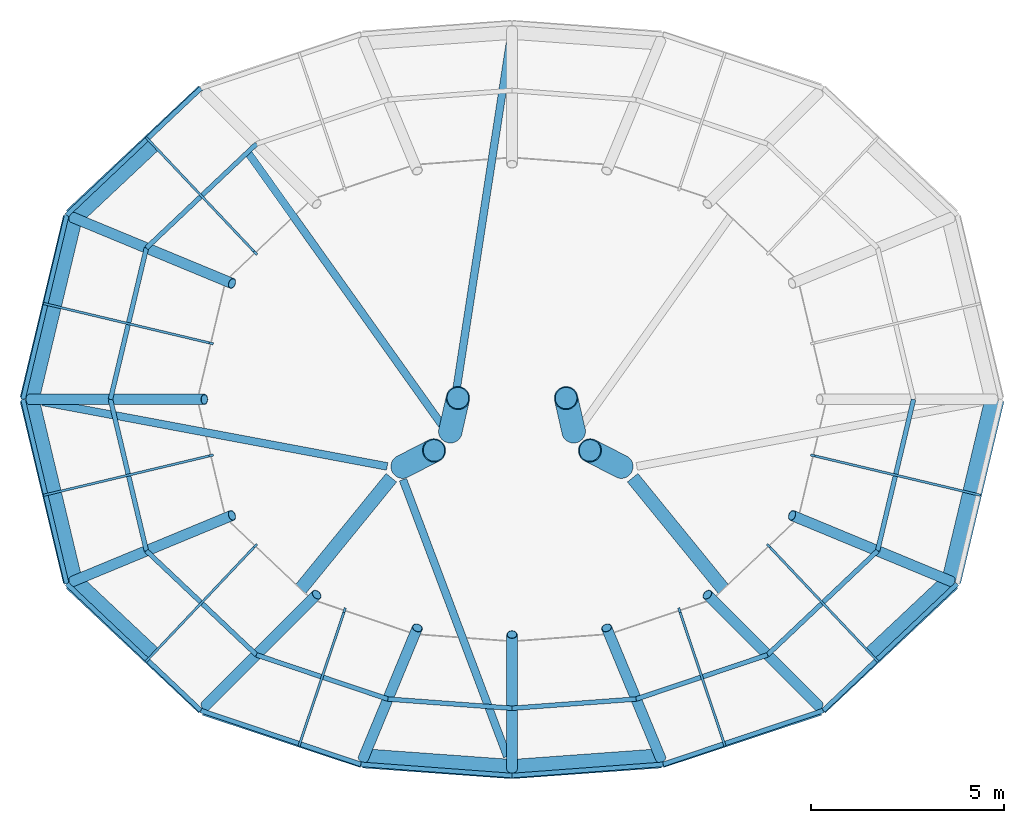
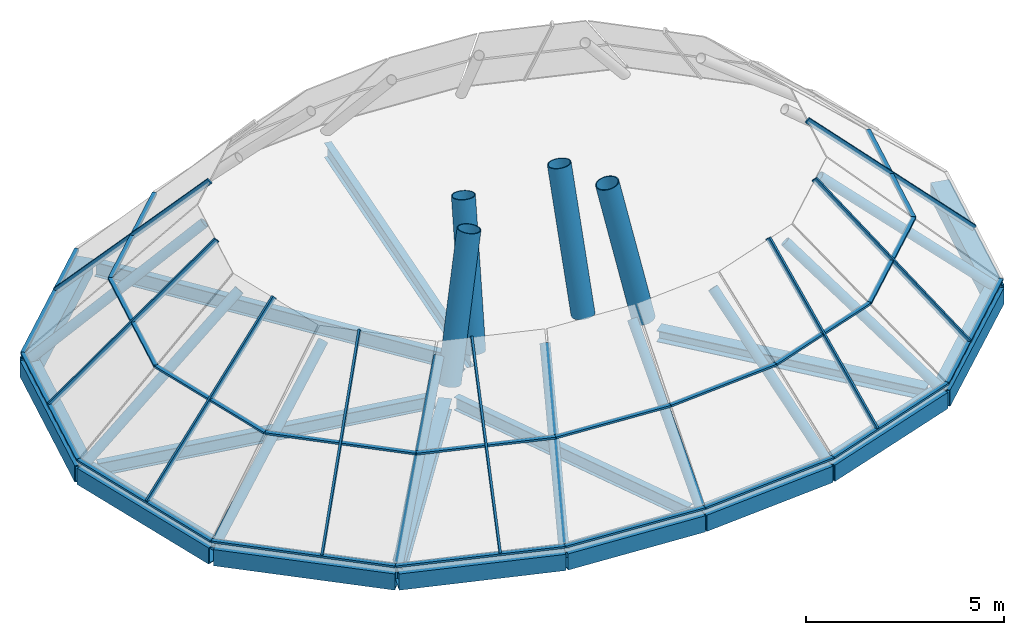
# One storey, part 1 of 3: 40 members, 16 beams, 10 elements without a shape of their own.
"""IFC4 building model written with IfcOpenShell, lengths in metres."""

from ifc_helpers import new_model, si_unit, direction, frame, origin, origin_2d, place, context, subcontext, project, spatial, rectangle, hollow_rectangle, hollow_circle, i_section, extrude, material, material_profile, profile_set, type_object, element, aggregate, save


model = new_model("IFC4")

# Units and contexts
model_context = context("Model", 3, precision=1e-05, world=origin(), true_north=direction((0.0, 1.0)))
body_context = subcontext(model_context, "Body", "Model", "MODEL_VIEW")
ifc_project = project(units=[si_unit("LENGTHUNIT", "METRE"), si_unit("AREAUNIT", "SQUARE_METRE"), si_unit("VOLUMEUNIT", "CUBIC_METRE"), si_unit("PLANEANGLEUNIT", "RADIAN"), si_unit("MASSUNIT", "GRAM", prefix="KILO")], contexts=[model_context])

# Site, building, storey
site_placement = place(None, origin())
site = spatial("IfcSite", under=ifc_project, at=site_placement, CompositionType="ELEMENT")
building_placement = place(site_placement, origin())
building = spatial("IfcBuilding", under=site, at=building_placement, Name="Rubra Terraces Tower", CompositionType="ELEMENT")
storey_placement = place(building_placement, frame((0.0, 0.0, 328.800048828125)))
storey = spatial("IfcBuildingStorey", under=building, at=storey_placement, Name="L81", CompositionType="ELEMENT", Elevation=328.800048828125)

# Members
ifc_material_1 = material(Name="Steel Q355B", Category="steel")
ifc_material_profile_1 = material_profile(ifc_material_1, hollow_circle(Radius=0.136474609375, WallThickness=0.011962890625, at=origin_2d()), Name="CHS 273x12")
ifc_profile_set_1 = profile_set([ifc_material_profile_1], Name="Steel Q355B")
member_type_1 = type_object("IfcMemberType", Name="CROWN POST CHS 273x12", PredefinedType="POST", material=ifc_profile_set_1)
member_1_placement = place(storey_placement, frame((-11.358154296875, 4.705322265625, -0.199951171875), z_axis=(0.703056626744, -0.291276439657, 0.648744491531), x_axis=(0.38275168109, 0.92385126001, 0.0)))
element("IfcMember", 1, at=member_1_placement, inside=storey, type_object=member_type_1, Name="CROWN POST", PredefinedType="POST", context=body_context, shape_type="SweptSolid", body=[
    extrude(hollow_circle(Radius=0.136474609375, WallThickness=0.011962890625, at=origin_2d()), origin(), (0.0, 0.0, 1.0), 5.857177734375),
])
member_2_placement = place(storey_placement, frame((-12.478515625, 0.0, -0.199951171875), z_axis=(0.765729286348, 0.0, 0.643163012019), x_axis=(0.0, 1.0, 0.0)))
element("IfcMember", 2, at=member_2_placement, inside=storey, type_object=member_type_1, Name="CROWN POST", PredefinedType="POST", context=body_context, shape_type="SweptSolid", body=[
    extrude(hollow_circle(Radius=0.136474609375, WallThickness=0.011962890625, at=origin_2d()), origin(), (0.0, 0.0, 1.0), 5.907958984375),
])
member_3_placement = place(storey_placement, frame((-11.358154296875, -4.705322265625, -0.199951171875), z_axis=(0.703056626744, 0.291276439657, 0.648744491531), x_axis=(-0.38275168109, 0.92385126001, 0.0)))
element("IfcMember", 3, at=member_3_placement, inside=storey, type_object=member_type_1, Name="CROWN POST", PredefinedType="POST", context=body_context, shape_type="SweptSolid", body=[
    extrude(hollow_circle(Radius=0.136474609375, WallThickness=0.011962890625, at=origin_2d()), origin(), (0.0, 0.0, 1.0), 5.857177734375),
])
member_4_placement = place(storey_placement, frame((-7.92822265625, -7.92822265625, -0.199951171875), z_axis=(0.516862468612, 0.516862468612, 0.682426829104), x_axis=(-0.707106781187, 0.707106781187, 0.0)))
element("IfcMember", 4, at=member_4_placement, inside=storey, type_object=member_type_1, Name="CROWN POST", PredefinedType="POST", context=body_context, shape_type="SweptSolid", body=[
    extrude(hollow_circle(Radius=0.136474609375, WallThickness=0.011962890625, at=origin_2d()), origin(), (0.0, 0.0, 1.0), 5.568115234375),
])
member_5_placement = place(storey_placement, frame((-3.84521484375, -9.283203125, -0.199951171875), z_axis=(0.265183902828, 0.640405694779, 0.720803748448), x_axis=(-0.923920752159, 0.38258390417, 0.0)))
element("IfcMember", 5, at=member_5_placement, inside=storey, type_object=member_type_1, Name="CROWN POST", PredefinedType="POST", context=body_context, shape_type="SweptSolid", body=[
    extrude(hollow_circle(Radius=0.136474609375, WallThickness=0.011962890625, at=origin_2d()), origin(), (0.0, 0.0, 1.0), 5.271728515625),
])
member_6_placement = place(storey_placement, frame((0.0, -9.560546875, -0.199951171875), z_axis=(0.0, 0.675389841881, 0.737460888104), x_axis=(-1.0, 0.0, 0.0)))
element("IfcMember", 6, at=member_6_placement, inside=storey, type_object=member_type_1, Name="CROWN POST", PredefinedType="POST", context=body_context, shape_type="SweptSolid", body=[
    extrude(hollow_circle(Radius=0.136474609375, WallThickness=0.011962890625, at=origin_2d()), origin(), (0.0, 0.0, 1.0), 5.152587890625),
])
member_7_placement = place(storey_placement, frame((3.84521484375, -9.283203125, -0.199951171875), z_axis=(-0.265183902828, 0.640405694779, 0.720803748448), x_axis=(-0.923920752159, -0.38258390417, 0.0)))
element("IfcMember", 7, at=member_7_placement, inside=storey, type_object=member_type_1, Name="CROWN POST", PredefinedType="POST", context=body_context, shape_type="SweptSolid", body=[
    extrude(hollow_circle(Radius=0.136474609375, WallThickness=0.011962890625, at=origin_2d()), origin(), (0.0, 0.0, 1.0), 5.271728515625),
])
member_8_placement = place(storey_placement, frame((7.92822265625, -7.92822265625, -0.199951171875), z_axis=(-0.516862468612, 0.516862468612, 0.682426829104), x_axis=(-0.707106781187, -0.707106781187, 0.0)))
element("IfcMember", 8, at=member_8_placement, inside=storey, type_object=member_type_1, Name="CROWN POST", PredefinedType="POST", context=body_context, shape_type="SweptSolid", body=[
    extrude(hollow_circle(Radius=0.136474609375, WallThickness=0.011962890625, at=origin_2d()), origin(), (0.0, 0.0, 1.0), 5.568115234375),
])
member_9_placement = place(storey_placement, frame((11.358154296875, -4.705322265625, -0.199951171875), z_axis=(-0.703056626744, 0.291276439657, 0.648744491531), x_axis=(-0.38275168109, -0.92385126001, 0.0)))
element("IfcMember", 9, at=member_9_placement, inside=storey, type_object=member_type_1, Name="CROWN POST", PredefinedType="POST", context=body_context, shape_type="SweptSolid", body=[
    extrude(hollow_circle(Radius=0.136474609375, WallThickness=0.011962890625, at=origin_2d()), origin(), (0.0, 0.0, 1.0), 5.857177734375),
])

# Beams
ifc_material_profile_2 = material_profile(ifc_material_1, hollow_rectangle(XDim=0.5, YDim=0.5, WallThickness=0.02490234375, at=origin_2d()), Name="BOX 500x500x25")
ifc_profile_set_2 = profile_set([ifc_material_profile_2], Name="Steel Q355B")
beam_type_1 = type_object("IfcBeamType", Name="CROWN RING GIRDER BOX 500x500x25", PredefinedType="BEAM", material=ifc_profile_set_2)
beam_1_placement = place(storey_placement, frame((-7.927978515625, 7.927978515625, -0.449951171875), z_axis=(-0.728758642516, -0.684770648435, 0.0), x_axis=(0.684770648435, -0.728758642516, 0.0)))
element("IfcBeam", 10, at=beam_1_placement, inside=storey, type_object=beam_type_1, Name="CROWN RING GIRDER", PredefinedType="BEAM", context=body_context, shape_type="SweptSolid", body=[
    extrude(hollow_rectangle(XDim=0.5, YDim=0.5, WallThickness=0.02490234375, at=origin_2d()), origin(), (0.0, 0.0, 1.0), 4.70654296875),
])
for number, where, z_axis, x_axis, name in (
    (11, (-11.35791015625, 4.705078125, -0.449951171875), (-0.231784299175, -0.972767206816, 0.0), (0.972767206816, -0.231784299175, 0.0), "CROWN RING GIRDER"),
    (12, (-12.47900390625, 0.0, -0.449951171875), (0.231784299175, -0.972767206816, 0.0), (0.972767206816, 0.231784299175, 0.0), "CROWN RING GIRDER"),
):
    element("IfcBeam", number, at=place(storey_placement, frame(where, z_axis=z_axis, x_axis=x_axis)), inside=storey, type_object=beam_type_1, Name=name, PredefinedType="BEAM", context=body_context, shape_type="SweptSolid", body=[
        extrude(hollow_rectangle(XDim=0.5, YDim=0.5, WallThickness=0.02490234375, at=origin_2d()), origin(), (0.0, 0.0, 1.0), 4.8369140625),
    ])
beam_2_placement = place(storey_placement, frame((-11.35791015625, -4.705078125, -0.449951171875), z_axis=(0.728758642516, -0.684770648435, 0.0), x_axis=(0.684770648435, 0.728758642516, 0.0)))
element("IfcBeam", 13, at=beam_2_placement, inside=storey, type_object=beam_type_1, Name="CROWN RING GIRDER", PredefinedType="BEAM", context=body_context, shape_type="SweptSolid", body=[
    extrude(hollow_rectangle(XDim=0.5, YDim=0.5, WallThickness=0.02490234375, at=origin_2d()), origin(), (0.0, 0.0, 1.0), 4.70654296875),
])
beam_3_placement = place(storey_placement, frame((-7.927978515625, -7.927978515625, -0.449951171875), z_axis=(0.949102418306, -0.314967616694, 0.0), x_axis=(0.314967616694, 0.949102418306, 0.0)))
element("IfcBeam", 14, at=beam_3_placement, inside=storey, type_object=beam_type_1, Name="CROWN RING GIRDER", PredefinedType="BEAM", context=body_context, shape_type="SweptSolid", body=[
    extrude(hollow_rectangle(XDim=0.5, YDim=0.5, WallThickness=0.02490234375, at=origin_2d()), origin(), (0.0, 0.0, 1.0), 4.302001953125),
])
for number, where, z_axis, x_axis, name in (
    (15, (-3.844970703125, -9.282958984375, -0.449951171875), (0.997394975087, -0.072133651446, 0.0), (0.072133651446, 0.997394975087, 0.0), "CROWN RING GIRDER"),
    (16, (0.0, -9.56103515625, -0.449951171875), (0.997394975087, 0.072133651446, 0.0), (-0.072133651446, 0.997394975087, 0.0), "CROWN RING GIRDER"),
):
    element("IfcBeam", number, at=place(storey_placement, frame(where, z_axis=z_axis, x_axis=x_axis)), inside=storey, type_object=beam_type_1, Name=name, PredefinedType="BEAM", context=body_context, shape_type="SweptSolid", body=[
        extrude(hollow_rectangle(XDim=0.5, YDim=0.5, WallThickness=0.02490234375, at=origin_2d()), origin(), (0.0, 0.0, 1.0), 3.85498046875),
    ])
beam_4_placement = place(storey_placement, frame((3.844970703125, -9.282958984375, -0.449951171875), z_axis=(0.949102418306, 0.314967616694, 0.0), x_axis=(-0.314967616694, 0.949102418306, 0.0)))
element("IfcBeam", 17, at=beam_4_placement, inside=storey, type_object=beam_type_1, Name="CROWN RING GIRDER", PredefinedType="BEAM", context=body_context, shape_type="SweptSolid", body=[
    extrude(hollow_rectangle(XDim=0.5, YDim=0.5, WallThickness=0.02490234375, at=origin_2d()), origin(), (0.0, 0.0, 1.0), 4.302001953125),
])
beam_5_placement = place(storey_placement, frame((7.927978515625, -7.927978515625, -0.449951171875), z_axis=(0.728758642516, 0.684770648435, 0.0), x_axis=(-0.684770648435, 0.728758642516, 0.0)))
element("IfcBeam", 18, at=beam_5_placement, inside=storey, type_object=beam_type_1, Name="CROWN RING GIRDER", PredefinedType="BEAM", context=body_context, shape_type="SweptSolid", body=[
    extrude(hollow_rectangle(XDim=0.5, YDim=0.5, WallThickness=0.02490234375, at=origin_2d()), origin(), (0.0, 0.0, 1.0), 4.70654296875),
])
beam_6_placement = place(storey_placement, frame((11.35791015625, -4.705078125, -0.449951171875), z_axis=(0.231784299175, 0.972767206816, 0.0), x_axis=(-0.972767206816, 0.231784299175, 0.0)))
element("IfcBeam", 19, at=beam_6_placement, inside=storey, type_object=beam_type_1, Name="CROWN RING GIRDER", PredefinedType="BEAM", context=body_context, shape_type="SweptSolid", body=[
    extrude(hollow_rectangle(XDim=0.5, YDim=0.5, WallThickness=0.02490234375, at=origin_2d()), origin(), (0.0, 0.0, 1.0), 4.8369140625),
])

# Curtain wall, member
ifc_material_2 = material(Name="Aluminium and glass", Category="aluminium")
curtain_wall_type = type_object("IfcCurtainWallType", Name="Curtain wall Crown glazing", PredefinedType="NOTDEFINED", material=ifc_material_2)
curtain_wall_1_placement = place(storey_placement, origin())
curtain_wall_1 = element("IfcCurtainWall", 20, at=curtain_wall_1_placement, inside=storey, type_object=curtain_wall_type, Name="Crown glazing L81 facet 7", PredefinedType="NOTDEFINED")
ifc_material_3 = material(Name="Aluminium, anodised dark grey", Category="aluminium")
ifc_material_profile_3 = material_profile(ifc_material_3, rectangle(XDim=0.06005859375, YDim=0.159912109375, at=origin_2d()), Name="AL 60x160")
ifc_profile_set_3 = profile_set([ifc_material_profile_3], Name="Aluminium, anodised dark grey")
member_type_2 = type_object("IfcMemberType", Name="Crown glazing mullion 60 x 160", PredefinedType="MULLION", material=ifc_profile_set_3)
member_10_placement = place(storey_placement, frame((-9.427490234375, 6.73974609375, 0.0), z_axis=(0.478007408071, -0.505604831141, 0.718242767145), x_axis=(0.726660270394, 0.686996980656, 0.0)))
member_10 = element("IfcMember", 21, at=member_10_placement, type_object=member_type_2, Name="Crown glazing L81 facet 7 mullion 1", PredefinedType="MULLION", context=body_context, shape_type="SweptSolid", body=[
    extrude(rectangle(XDim=0.06005859375, YDim=0.159912109375, at=origin_2d()), origin(), (0.0, 0.0, 1.0), 5.84765625),
])

curtain_wall_2_placement = place(storey_placement, origin())
curtain_wall_2 = element("IfcCurtainWall", 22, at=curtain_wall_2_placement, inside=storey, type_object=curtain_wall_type, Name="Crown glazing L81 facet 8", PredefinedType="NOTDEFINED")
member_11_placement = place(storey_placement, frame((-12.05908203125, 2.466552734375, 0.0), z_axis=(0.703863836349, -0.167187225168, 0.690379701049), x_axis=(0.231098029576, 0.972930470653, 0.0)))
member_11 = element("IfcMember", 23, at=member_11_placement, type_object=member_type_2, Name="Crown glazing L81 facet 8 mullion 1", PredefinedType="MULLION", context=body_context, shape_type="SweptSolid", body=[
    extrude(rectangle(XDim=0.06005859375, YDim=0.159912109375, at=origin_2d()), origin(), (0.0, 0.0, 1.0), 6.08349609375),
])

curtain_wall_3_placement = place(storey_placement, origin())
curtain_wall_3 = element("IfcCurtainWall", 24, at=curtain_wall_3_placement, inside=storey, type_object=curtain_wall_type, Name="Crown glazing L81 facet 9", PredefinedType="NOTDEFINED")
member_12_placement = place(storey_placement, frame((-12.05908203125, -2.466552734375, 0.0), z_axis=(0.703863836349, 0.167187225168, 0.690379701049), x_axis=(-0.231098029576, 0.972930470653, 0.0)))
member_12 = element("IfcMember", 25, at=member_12_placement, type_object=member_type_2, Name="Crown glazing L81 facet 9 mullion 1", PredefinedType="MULLION", context=body_context, shape_type="SweptSolid", body=[
    extrude(rectangle(XDim=0.06005859375, YDim=0.159912109375, at=origin_2d()), origin(), (0.0, 0.0, 1.0), 6.08349609375),
])

curtain_wall_4_placement = place(storey_placement, origin())
curtain_wall_4 = element("IfcCurtainWall", 26, at=curtain_wall_4_placement, inside=storey, type_object=curtain_wall_type, Name="Crown glazing L81 facet 10", PredefinedType="NOTDEFINED")
member_13_placement = place(storey_placement, frame((-9.427490234375, -6.73974609375, 0.0), z_axis=(0.478007408071, 0.505604831141, 0.718242767145), x_axis=(-0.726660270394, 0.686996980656, 0.0)))
member_13 = element("IfcMember", 27, at=member_13_placement, type_object=member_type_2, Name="Crown glazing L81 facet 10 mullion 1", PredefinedType="MULLION", context=body_context, shape_type="SweptSolid", body=[
    extrude(rectangle(XDim=0.06005859375, YDim=0.159912109375, at=origin_2d()), origin(), (0.0, 0.0, 1.0), 5.84765625),
])

curtain_wall_5_placement = place(storey_placement, origin())
curtain_wall_5 = element("IfcCurtainWall", 28, at=curtain_wall_5_placement, inside=storey, type_object=curtain_wall_type, Name="Crown glazing L81 facet 11", PredefinedType="NOTDEFINED")
member_14_placement = place(storey_placement, frame((-5.489501953125, -8.905517578125, 0.0), z_axis=(0.208923002794, 0.621281432138, 0.755222193122), x_axis=(-0.94784277477, 0.318738253613, 0.0)))
member_14 = element("IfcMember", 29, at=member_14_placement, type_object=member_type_2, Name="Crown glazing L81 facet 11 mullion 1", PredefinedType="MULLION", context=body_context, shape_type="SweptSolid", body=[
    extrude(rectangle(XDim=0.06005859375, YDim=0.159912109375, at=origin_2d()), origin(), (0.0, 0.0, 1.0), 5.561279296875),
])

curtain_wall_6_placement = place(storey_placement, origin())
curtain_wall_6 = element("IfcCurtainWall", 30, at=curtain_wall_6_placement, inside=storey, type_object=curtain_wall_type, Name="Crown glazing L81 facet 14", PredefinedType="NOTDEFINED")
member_15_placement = place(storey_placement, frame((5.489501953125, -8.905517578125, 0.0), z_axis=(-0.208923002794, 0.621281432138, 0.755222193122), x_axis=(-0.94784277477, -0.318738253613, 0.0)))
member_15 = element("IfcMember", 31, at=member_15_placement, type_object=member_type_2, Name="Crown glazing L81 facet 14 mullion 1", PredefinedType="MULLION", context=body_context, shape_type="SweptSolid", body=[
    extrude(rectangle(XDim=0.06005859375, YDim=0.159912109375, at=origin_2d()), origin(), (0.0, 0.0, 1.0), 5.561279296875),
])

curtain_wall_7_placement = place(storey_placement, origin())
curtain_wall_7 = element("IfcCurtainWall", 32, at=curtain_wall_7_placement, inside=storey, type_object=curtain_wall_type, Name="Crown glazing L81 facet 15", PredefinedType="NOTDEFINED")
member_16_placement = place(storey_placement, frame((9.427490234375, -6.73974609375, 0.0), z_axis=(-0.478007408071, 0.505604831141, 0.718242767145), x_axis=(-0.726660270394, -0.686996980656, 0.0)))
member_16 = element("IfcMember", 33, at=member_16_placement, type_object=member_type_2, Name="Crown glazing L81 facet 15 mullion 1", PredefinedType="MULLION", context=body_context, shape_type="SweptSolid", body=[
    extrude(rectangle(XDim=0.06005859375, YDim=0.159912109375, at=origin_2d()), origin(), (0.0, 0.0, 1.0), 5.84765625),
])

curtain_wall_8_placement = place(storey_placement, origin())
curtain_wall_8 = element("IfcCurtainWall", 34, at=curtain_wall_8_placement, inside=storey, type_object=curtain_wall_type, Name="Crown glazing L81 facet 16", PredefinedType="NOTDEFINED")
member_17_placement = place(storey_placement, frame((12.05908203125, -2.466552734375, 0.0), z_axis=(-0.703863836349, 0.167187225168, 0.690379701049), x_axis=(-0.231098029576, -0.972930470653, 0.0)))
member_17 = element("IfcMember", 35, at=member_17_placement, type_object=member_type_2, Name="Crown glazing L81 facet 16 mullion 1", PredefinedType="MULLION", context=body_context, shape_type="SweptSolid", body=[
    extrude(rectangle(XDim=0.06005859375, YDim=0.159912109375, at=origin_2d()), origin(), (0.0, 0.0, 1.0), 6.08349609375),
])

# Member
ifc_material_profile_4 = material_profile(ifc_material_3, rectangle(XDim=0.1201171875, YDim=0.06005859375, at=origin_2d()), Name="AL 120x60")
ifc_profile_set_4 = profile_set([ifc_material_profile_4], Name="Aluminium, anodised dark grey")
member_type_3 = type_object("IfcMemberType", Name="Crown glazing transom 120 x 60", PredefinedType="USERDEFINED", material=ifc_profile_set_4)
member_18_placement = place(storey_placement, frame((-8.0458984375, 8.0458984375, 0.0), z_axis=(-0.726662449999, -0.686994675206, 0.0), x_axis=(0.686994675206, -0.726662449999, 0.0)))
member_18 = element("IfcMember", 36, at=member_18_placement, type_object=member_type_3, Name="Crown glazing L81 facet 7 transom 1", ObjectType="TRANSOM", PredefinedType="USERDEFINED", context=body_context, shape_type="SweptSolid", body=[
    extrude(rectangle(XDim=0.1201171875, YDim=0.06005859375, at=origin_2d()), origin(), (0.0, 0.0, 1.0), 4.769775390625),
])

member_19_placement = place(storey_placement, frame((-6.60693359375, 6.60693359375, 2.099853515625), z_axis=(-0.726620628193, -0.687038909149, 0.0), x_axis=(0.687038909149, -0.726620628193, 0.0)))
member_19 = element("IfcMember", 37, at=member_19_placement, type_object=member_type_3, Name="Crown glazing L81 facet 7 transom 2", ObjectType="TRANSOM", PredefinedType="USERDEFINED", context=body_context, shape_type="SweptSolid", body=[
    extrude(rectangle(XDim=0.1201171875, YDim=0.06005859375, at=origin_2d()), origin(), (0.0, 0.0, 1.0), 3.916748046875),
])

aggregate(curtain_wall_1, [member_10, member_18, member_19])

member_20_placement = place(storey_placement, frame((-11.511962890625, 4.76904296875, 0.0), z_axis=(-0.231151401248, -0.972917791851, 0.0), x_axis=(0.972917791851, -0.231151401248, 0.0)))
member_20 = element("IfcMember", 38, at=member_20_placement, type_object=member_type_3, Name="Crown glazing L81 facet 8 transom 1", ObjectType="TRANSOM", PredefinedType="USERDEFINED", context=body_context, shape_type="SweptSolid", body=[
    extrude(rectangle(XDim=0.1201171875, YDim=0.06005859375, at=origin_2d()), origin(), (0.0, 0.0, 1.0), 4.90185546875),
])

member_21_placement = place(storey_placement, frame((-9.452880859375, 3.916015625, 2.099853515625), z_axis=(-0.231158555304, -0.972916092122, 0.0), x_axis=(0.972916092122, -0.231158555304, 0.0)))
member_21 = element("IfcMember", 39, at=member_21_placement, type_object=member_type_3, Name="Crown glazing L81 facet 8 transom 2", ObjectType="TRANSOM", PredefinedType="USERDEFINED", context=body_context, shape_type="SweptSolid", body=[
    extrude(rectangle(XDim=0.1201171875, YDim=0.06005859375, at=origin_2d()), origin(), (0.0, 0.0, 1.0), 4.025146484375),
])

aggregate(curtain_wall_2, [member_11, member_20, member_21])

member_22_placement = place(storey_placement, frame((-12.64501953125, 0.0, 0.0), z_axis=(0.231151401248, -0.972917791851, 0.0), x_axis=(0.972917791851, 0.231151401248, 0.0)))
member_22 = element("IfcMember", 40, at=member_22_placement, type_object=member_type_3, Name="Crown glazing L81 facet 9 transom 1", ObjectType="TRANSOM", PredefinedType="USERDEFINED", context=body_context, shape_type="SweptSolid", body=[
    extrude(rectangle(XDim=0.1201171875, YDim=0.06005859375, at=origin_2d()), origin(), (0.0, 0.0, 1.0), 4.90185546875),
])

member_23_placement = place(storey_placement, frame((-10.38330078125, 0.0, 2.099853515625), z_axis=(0.231158555304, -0.972916092122, 0.0), x_axis=(0.972916092122, 0.231158555304, 0.0)))
member_23 = element("IfcMember", 41, at=member_23_placement, type_object=member_type_3, Name="Crown glazing L81 facet 9 transom 2", ObjectType="TRANSOM", PredefinedType="USERDEFINED", context=body_context, shape_type="SweptSolid", body=[
    extrude(rectangle(XDim=0.1201171875, YDim=0.06005859375, at=origin_2d()), origin(), (0.0, 0.0, 1.0), 4.025146484375),
])

aggregate(curtain_wall_3, [member_12, member_22, member_23])

member_24_placement = place(storey_placement, frame((-11.511962890625, -4.76904296875, 0.0), z_axis=(0.726662449999, -0.686994675206, 0.0), x_axis=(0.686994675206, 0.726662449999, 0.0)))
member_24 = element("IfcMember", 42, at=member_24_placement, type_object=member_type_3, Name="Crown glazing L81 facet 10 transom 1", ObjectType="TRANSOM", PredefinedType="USERDEFINED", context=body_context, shape_type="SweptSolid", body=[
    extrude(rectangle(XDim=0.1201171875, YDim=0.06005859375, at=origin_2d()), origin(), (0.0, 0.0, 1.0), 4.769775390625),
])

member_25_placement = place(storey_placement, frame((-9.452880859375, -3.916015625, 2.099853515625), z_axis=(0.726620628193, -0.687038909149, 0.0), x_axis=(0.687038909149, 0.726620628193, 0.0)))
member_25 = element("IfcMember", 43, at=member_25_placement, type_object=member_type_3, Name="Crown glazing L81 facet 10 transom 2", ObjectType="TRANSOM", PredefinedType="USERDEFINED", context=body_context, shape_type="SweptSolid", body=[
    extrude(rectangle(XDim=0.1201171875, YDim=0.06005859375, at=origin_2d()), origin(), (0.0, 0.0, 1.0), 3.916748046875),
])

aggregate(curtain_wall_4, [member_13, member_24, member_25])

member_26_placement = place(storey_placement, frame((-8.0458984375, -8.0458984375, 0.0), z_axis=(0.947846546939, -0.318727035967, 0.0), x_axis=(0.318727035967, 0.947846546939, 0.0)))
member_26 = element("IfcMember", 44, at=member_26_placement, type_object=member_type_3, Name="Crown glazing L81 facet 11 transom 1", ObjectType="TRANSOM", PredefinedType="USERDEFINED", context=body_context, shape_type="SweptSolid", body=[
    extrude(rectangle(XDim=0.1201171875, YDim=0.06005859375, at=origin_2d()), origin(), (0.0, 0.0, 1.0), 4.364501953125),
])

member_27_placement = place(storey_placement, frame((-6.60693359375, -6.60693359375, 2.099853515625), z_axis=(0.947862652845, -0.318679135404, 0.0), x_axis=(0.318679135404, 0.947862652845, 0.0)))
member_27 = element("IfcMember", 45, at=member_27_placement, type_object=member_type_3, Name="Crown glazing L81 facet 11 transom 2", ObjectType="TRANSOM", PredefinedType="USERDEFINED", context=body_context, shape_type="SweptSolid", body=[
    extrude(rectangle(XDim=0.1201171875, YDim=0.06005859375, at=origin_2d()), origin(), (0.0, 0.0, 1.0), 3.583740234375),
])

aggregate(curtain_wall_5, [member_14, member_26, member_27])

# Curtain wall, members
curtain_wall_9_placement = place(storey_placement, origin())
curtain_wall_9 = element("IfcCurtainWall", 46, at=curtain_wall_9_placement, inside=storey, type_object=curtain_wall_type, Name="Crown glazing L81 facet 12", PredefinedType="NOTDEFINED")
member_28_placement = place(storey_placement, frame((-3.908935546875, -9.43701171875, 0.0), z_axis=(0.997258569584, -0.073995576833, 0.0), x_axis=(0.073995576833, 0.997258569584, 0.0)))
member_28 = element("IfcMember", 47, at=member_28_placement, type_object=member_type_3, Name="Crown glazing L81 facet 12 transom 1", ObjectType="TRANSOM", PredefinedType="USERDEFINED", context=body_context, shape_type="SweptSolid", body=[
    extrude(rectangle(XDim=0.1201171875, YDim=0.06005859375, at=origin_2d()), origin(), (0.0, 0.0, 1.0), 3.919677734375),
])
member_29_placement = place(storey_placement, frame((-3.2099609375, -7.748779296875, 2.099853515625), z_axis=(0.99725615278, -0.074028141551, 0.0), x_axis=(0.074028141551, 0.99725615278, 0.0)))
member_29 = element("IfcMember", 48, at=member_29_placement, type_object=member_type_3, Name="Crown glazing L81 facet 12 transom 2", ObjectType="TRANSOM", PredefinedType="USERDEFINED", context=body_context, shape_type="SweptSolid", body=[
    extrude(rectangle(XDim=0.1201171875, YDim=0.06005859375, at=origin_2d()), origin(), (0.0, 0.0, 1.0), 3.21875),
])
aggregate(curtain_wall_9, [member_28, member_29])

curtain_wall_10_placement = place(storey_placement, origin())
curtain_wall_10 = element("IfcCurtainWall", 49, at=curtain_wall_10_placement, inside=storey, type_object=curtain_wall_type, Name="Crown glazing L81 facet 13", PredefinedType="NOTDEFINED")
member_30_placement = place(storey_placement, frame((0.0, -9.72705078125, 0.0), z_axis=(0.997258569584, 0.073995576833, 0.0), x_axis=(-0.073995576833, 0.997258569584, 0.0)))
member_30 = element("IfcMember", 50, at=member_30_placement, type_object=member_type_3, Name="Crown glazing L81 facet 13 transom 1", ObjectType="TRANSOM", PredefinedType="USERDEFINED", context=body_context, shape_type="SweptSolid", body=[
    extrude(rectangle(XDim=0.1201171875, YDim=0.06005859375, at=origin_2d()), origin(), (0.0, 0.0, 1.0), 3.919677734375),
])
member_31_placement = place(storey_placement, frame((0.0, -7.987060546875, 2.099853515625), z_axis=(0.99725615278, 0.074028141551, 0.0), x_axis=(-0.074028141551, 0.99725615278, 0.0)))
member_31 = element("IfcMember", 51, at=member_31_placement, type_object=member_type_3, Name="Crown glazing L81 facet 13 transom 2", ObjectType="TRANSOM", PredefinedType="USERDEFINED", context=body_context, shape_type="SweptSolid", body=[
    extrude(rectangle(XDim=0.1201171875, YDim=0.06005859375, at=origin_2d()), origin(), (0.0, 0.0, 1.0), 3.21875),
])
aggregate(curtain_wall_10, [member_30, member_31])

# Member
member_32_placement = place(storey_placement, frame((3.908935546875, -9.43701171875, 0.0), z_axis=(0.947846546939, 0.318727035967, 0.0), x_axis=(-0.318727035967, 0.947846546939, 0.0)))
member_32 = element("IfcMember", 52, at=member_32_placement, type_object=member_type_3, Name="Crown glazing L81 facet 14 transom 1", ObjectType="TRANSOM", PredefinedType="USERDEFINED", context=body_context, shape_type="SweptSolid", body=[
    extrude(rectangle(XDim=0.1201171875, YDim=0.06005859375, at=origin_2d()), origin(), (0.0, 0.0, 1.0), 4.364501953125),
])

member_33_placement = place(storey_placement, frame((3.2099609375, -7.7490234375, 2.099853515625), z_axis=(0.947862652845, 0.318679135404, 0.0), x_axis=(-0.318679135404, 0.947862652845, 0.0)))
member_33 = element("IfcMember", 53, at=member_33_placement, type_object=member_type_3, Name="Crown glazing L81 facet 14 transom 2", ObjectType="TRANSOM", PredefinedType="USERDEFINED", context=body_context, shape_type="SweptSolid", body=[
    extrude(rectangle(XDim=0.1201171875, YDim=0.06005859375, at=origin_2d()), origin(), (0.0, 0.0, 1.0), 3.583740234375),
])

aggregate(curtain_wall_6, [member_15, member_32, member_33])

member_34_placement = place(storey_placement, frame((8.0458984375, -8.0458984375, 0.0), z_axis=(0.726662449999, 0.686994675206, 0.0), x_axis=(-0.686994675206, 0.726662449999, 0.0)))
member_34 = element("IfcMember", 54, at=member_34_placement, type_object=member_type_3, Name="Crown glazing L81 facet 15 transom 1", ObjectType="TRANSOM", PredefinedType="USERDEFINED", context=body_context, shape_type="SweptSolid", body=[
    extrude(rectangle(XDim=0.1201171875, YDim=0.06005859375, at=origin_2d()), origin(), (0.0, 0.0, 1.0), 4.769775390625),
])

member_35_placement = place(storey_placement, frame((6.60693359375, -6.60693359375, 2.099853515625), z_axis=(0.726620628193, 0.687038909149, 0.0), x_axis=(-0.687038909149, 0.726620628193, 0.0)))
member_35 = element("IfcMember", 55, at=member_35_placement, type_object=member_type_3, Name="Crown glazing L81 facet 15 transom 2", ObjectType="TRANSOM", PredefinedType="USERDEFINED", context=body_context, shape_type="SweptSolid", body=[
    extrude(rectangle(XDim=0.1201171875, YDim=0.06005859375, at=origin_2d()), origin(), (0.0, 0.0, 1.0), 3.916748046875),
])

aggregate(curtain_wall_7, [member_16, member_34, member_35])

member_36_placement = place(storey_placement, frame((9.452880859375, -3.916015625, 2.099853515625), z_axis=(0.231158555304, 0.972916092122, 0.0), x_axis=(-0.972916092122, 0.231158555304, 0.0)))
member_36 = element("IfcMember", 56, at=member_36_placement, type_object=member_type_3, Name="Crown glazing L81 facet 16 transom 2", ObjectType="TRANSOM", PredefinedType="USERDEFINED", context=body_context, shape_type="SweptSolid", body=[
    extrude(rectangle(XDim=0.1201171875, YDim=0.06005859375, at=origin_2d()), origin(), (0.0, 0.0, 1.0), 4.025146484375),
])

aggregate(curtain_wall_8, [member_17, member_36])

# Beams
ifc_material_profile_5 = material_profile(ifc_material_1, i_section(OverallWidth=0.199951171875, OverallDepth=0.39990234375, WebThickness=0.008056640625, FlangeThickness=0.012939453125, at=origin_2d()), Name="HN 400x200x8x13")
ifc_profile_set_5 = profile_set([ifc_material_profile_5], Name="Steel Q355B")
beam_type_2 = type_object("IfcBeamType", Name="FLOOR BEAM HN 400x200x8x13", PredefinedType="BEAM", material=ifc_profile_set_5)
beam_7_placement = place(storey_placement, frame((-12.134033203125, -0.06396484375, -0.400146484375), z_axis=(0.982874931719, -0.184273895594, 0.0), x_axis=(0.184273895594, 0.982874931719, 0.0)))
element("IfcBeam", 57, at=beam_7_placement, inside=storey, type_object=beam_type_2, Name="beam-L81-crown-floor-09", PredefinedType="BEAM", context=body_context, shape_type="SweptSolid", body=[
    extrude(i_section(OverallWidth=0.199951171875, OverallDepth=0.39990234375, WebThickness=0.008056640625, FlangeThickness=0.012939453125, at=origin_2d()), origin(), (0.0, 0.0, 1.0), 9.062255859375),
])
beam_8_placement = place(storey_placement, frame((-0.123046875, -9.23291015625, -0.400146484375), z_axis=(-0.3525885763, 0.93577844379, 0.0), x_axis=(-0.93577844379, -0.3525885763, 0.0)))
element("IfcBeam", 58, at=beam_8_placement, inside=storey, type_object=beam_type_2, Name="beam-L81-crown-floor-13", PredefinedType="BEAM", context=body_context, shape_type="SweptSolid", body=[
    extrude(i_section(OverallWidth=0.199951171875, OverallDepth=0.39990234375, WebThickness=0.008056640625, FlangeThickness=0.012939453125, at=origin_2d()), origin(), (0.0, 0.0, 1.0), 7.649169921875),
])
ifc_material_profile_6 = material_profile(ifc_material_1, i_section(OverallWidth=0.198974609375, OverallDepth=0.446044921875, WebThickness=0.008056640625, FlangeThickness=0.011962890625, at=origin_2d()), Name="HN 446x199x8x12")
ifc_profile_set_6 = profile_set([ifc_material_profile_6], Name="Steel Q355B")
beam_type_3 = type_object("IfcBeamType", Name="FLOOR BEAM HN 446x199x8x12", PredefinedType="BEAM", material=ifc_profile_set_6)
beam_9_placement = place(storey_placement, frame((-0.052978515625, 9.215087890625, -0.423095703125), z_axis=(-0.152473339647, -0.988307584053, 0.0), x_axis=(0.988307584053, -0.152473339647, 0.0)))
element("IfcBeam", 59, at=beam_9_placement, inside=storey, type_object=beam_type_3, Name="beam-L81-crown-floor-05", PredefinedType="BEAM", context=body_context, shape_type="SweptSolid", body=[
    extrude(i_section(OverallWidth=0.198974609375, OverallDepth=0.446044921875, WebThickness=0.008056640625, FlangeThickness=0.011962890625, at=origin_2d()), origin(), (0.0, 0.0, 1.0), 9.962646484375),
])
beam_10_placement = place(storey_placement, frame((-7.72509765625, 7.64306640625, -0.423095703125), z_axis=(0.580022095206, -0.814600742126, 0.0), x_axis=(0.814600742126, 0.580022095206, 0.0)))
element("IfcBeam", 60, at=beam_10_placement, inside=storey, type_object=beam_type_3, Name="beam-L81-crown-floor-07", PredefinedType="BEAM", context=body_context, shape_type="SweptSolid", body=[
    extrude(i_section(OverallWidth=0.198974609375, OverallDepth=0.446044921875, WebThickness=0.008056640625, FlangeThickness=0.011962890625, at=origin_2d()), origin(), (0.0, 0.0, 1.0), 10.222412109375),
])
ifc_material_profile_7 = material_profile(ifc_material_1, i_section(OverallWidth=0.35009765625, OverallDepth=0.35009765625, WebThickness=0.011962890625, FlangeThickness=0.01904296875, at=origin_2d()), Name="HW 350x350x12x19")
ifc_profile_set_7 = profile_set([ifc_material_profile_7], Name="Steel Q355B")
beam_type_4 = type_object("IfcBeamType", Name="FLOOR BEAM HW 350x350x12x19", PredefinedType="BEAM", material=ifc_profile_set_7)
for number, where, z_axis, x_axis, name in (
    (61, (-7.70703125, -7.656982421875, -0.375), (0.631557716674, 0.775328866036, 0.0), (-0.775328866036, 0.631557716674, 0.0), "beam-L81-crown-floor-11"),
    (62, (7.70703125, -7.656982421875, -0.375), (-0.631557716674, 0.775328866036, 0.0), (-0.775328866036, -0.631557716674, 0.0), "beam-L81-crown-floor-15"),
):
    element("IfcBeam", number, at=place(storey_placement, frame(where, z_axis=z_axis, x_axis=x_axis)), inside=storey, type_object=beam_type_4, Name=name, PredefinedType="BEAM", context=body_context, shape_type="SweptSolid", body=[
        extrude(i_section(OverallWidth=0.35009765625, OverallDepth=0.35009765625, WebThickness=0.011962890625, FlangeThickness=0.01904296875, at=origin_2d()), origin(), (0.0, 0.0, 1.0), 7.262939453125),
    ])

# Members
ifc_material_profile_8 = material_profile(ifc_material_1, hollow_circle(Radius=0.304931640625, WallThickness=0.02490234375, at=origin_2d()), Name="CHS 610x25")
ifc_profile_set_8 = profile_set([ifc_material_profile_8], Name="Steel Q355B")
member_type_4 = type_object("IfcMemberType", Name="SPIRE LEG CHS 610x25", PredefinedType="POST", material=ifc_profile_set_8)
member_37_placement = place(storey_placement, frame((-2.8310546875, -1.739990234375, 0.0), z_axis=(0.189845986015, 0.097677264716, 0.976943014485), x_axis=(-0.457504268747, 0.889207424664, 0.0)))
element("IfcMember", 63, at=member_37_placement, inside=storey, type_object=member_type_4, Name="SPIRE LEG", PredefinedType="POST", context=body_context, shape_type="SweptSolid", body=[
    extrude(hollow_circle(Radius=0.304931640625, WallThickness=0.02490234375, at=origin_2d()), origin(), (0.0, 0.0, 1.0), 4.299072265625),
])
for number, where, z_axis, x_axis, name in (
    (64, (-1.594970703125, -0.8291015625, 0.0), (0.045899790107, 0.201287927123, 0.978456120458), (-0.974972935328, 0.222323582597, 0.0), "SPIRE LEG"),
    (65, (1.594970703125, -0.8291015625, 0.0), (-0.045899790107, 0.201287927123, 0.978456120458), (-0.974972935328, -0.222323582597, 0.0), "SPIRE LEG"),
):
    element("IfcMember", number, at=place(storey_placement, frame(where, z_axis=z_axis, x_axis=x_axis)), inside=storey, type_object=member_type_4, Name=name, PredefinedType="POST", context=body_context, shape_type="SweptSolid", body=[
        extrude(hollow_circle(Radius=0.304931640625, WallThickness=0.02490234375, at=origin_2d()), origin(), (0.0, 0.0, 1.0), 4.29248046875),
    ])
member_38_placement = place(storey_placement, frame((2.8310546875, -1.739990234375, 0.0), z_axis=(-0.189845986015, 0.097677264716, 0.976943014485), x_axis=(-0.457504268747, -0.889207424664, 0.0)))
element("IfcMember", 66, at=member_38_placement, inside=storey, type_object=member_type_4, Name="SPIRE LEG", PredefinedType="POST", context=body_context, shape_type="SweptSolid", body=[
    extrude(hollow_circle(Radius=0.304931640625, WallThickness=0.02490234375, at=origin_2d()), origin(), (0.0, 0.0, 1.0), 4.299072265625),
])

save(model, "model.ifc")
